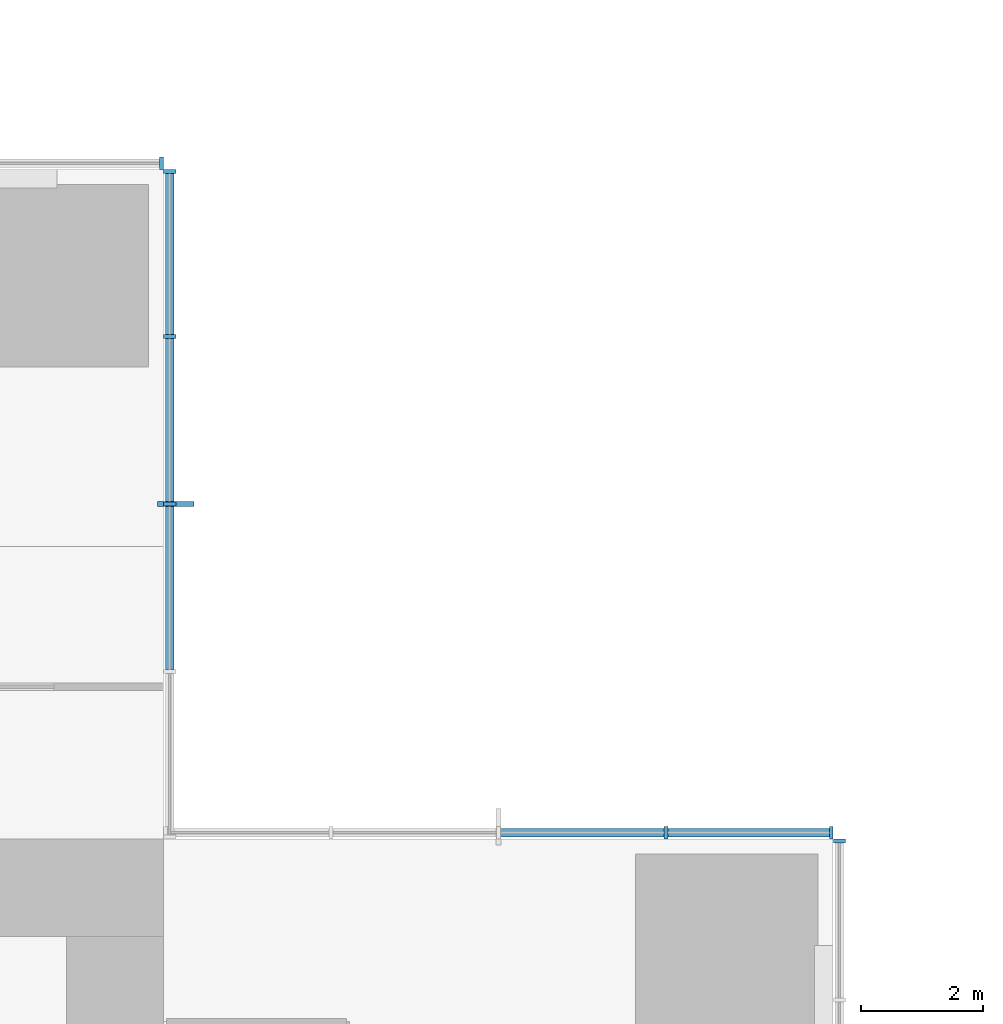
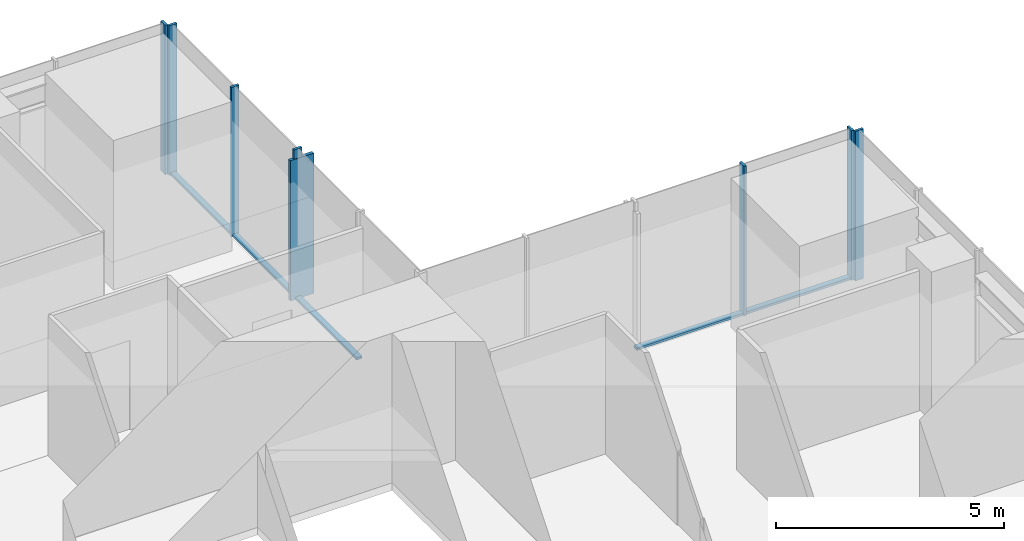
# One storey, part 6 of 13: 13 members, 4 elements without a shape of their own.
"""IFC4 building model written with IfcOpenShell, lengths in metres."""

from ifc_helpers import new_model, si_unit, direction, frame, origin, origin_2d, place, context, subcontext, project, spatial, rectangle, extrude, material, material_profile, profile_set, type_object, element, aggregate, save


model = new_model("IFC4")

# Units and contexts
model_context = context("Model", 3, precision=1e-05, world=origin(), true_north=direction((0.0, 1.0)))
body_context = subcontext(model_context, "Body", "Model", "MODEL_VIEW")
ifc_project = project(units=[si_unit("LENGTHUNIT", "METRE"), si_unit("AREAUNIT", "SQUARE_METRE"), si_unit("VOLUMEUNIT", "CUBIC_METRE"), si_unit("PLANEANGLEUNIT", "RADIAN"), si_unit("MASSUNIT", "GRAM", prefix="KILO")], contexts=[model_context])

# Site, building, storey
site_placement = place(None, origin())
site = spatial("IfcSite", under=ifc_project, at=site_placement, CompositionType="ELEMENT")
building_placement = place(site_placement, origin())
building = spatial("IfcBuilding", under=site, at=building_placement, Name="Svetlomir Tower", CompositionType="ELEMENT")
storey_placement = place(building_placement, frame((0.0, 0.0, 136.5)))
storey = spatial("IfcBuildingStorey", under=building, at=storey_placement, Name="L32", CompositionType="ELEMENT", Elevation=136.5)

# Curtain wall, member
ifc_material_1 = material(Name="Bronze anodised aluminium curtain wall", Category="aluminium")
curtain_wall_type = type_object("IfcCurtainWallType", Name="CURTAIN WALL CW1 TOWER OFFICE", PredefinedType="NOTDEFINED", material=ifc_material_1)
curtain_wall_1_placement = place(storey_placement, origin())
curtain_wall_1 = element("IfcCurtainWall", 1, at=curtain_wall_1_placement, inside=storey, type_object=curtain_wall_type, Name="Curtain wall CW1 L32", PredefinedType="NOTDEFINED")
ifc_material_2 = material(Name="Bronze anodised aluminium", Category="aluminium")
ifc_material_profile_1 = material_profile(ifc_material_2, rectangle(XDim=0.080078125, YDim=0.60009765625, at=origin_2d()), Name="FIN 80x600")
ifc_profile_set_1 = profile_set([ifc_material_profile_1], Name="Bronze anodised aluminium 6063-T6")
member_type_1 = type_object("IfcMemberType", Name="BRONZE FIN 80x600", PredefinedType="USERDEFINED", material=ifc_profile_set_1)
member_1_placement = place(storey_placement, frame((31.199951171875, 36.5, 0.0), z_axis=(0.0, 0.0, 1.0), x_axis=(0.0, 1.0, 0.0)))
member_1 = element("IfcMember", 2, at=member_1_placement, type_object=member_type_1, Name="Bronze fin L32", ObjectType="FIN", PredefinedType="USERDEFINED", context=body_context, shape_type="SweptSolid", body=[
    extrude(rectangle(XDim=0.080078125, YDim=0.60009765625, at=origin_2d()), origin(), (0.0, 0.0, 1.0), 3.75),
])

curtain_wall_2_placement = place(storey_placement, origin())
curtain_wall_2 = element("IfcCurtainWall", 3, at=curtain_wall_2_placement, inside=storey, type_object=curtain_wall_type, Name="Curtain wall CW1 L32", PredefinedType="NOTDEFINED")
ifc_material_3 = material(Name="Bronze anodised aluminium", Category="aluminium")
ifc_material_profile_2 = material_profile(ifc_material_3, rectangle(XDim=0.06494140625, YDim=0.199951171875, at=origin_2d()), Name="AL 65x200")
ifc_profile_set_2 = profile_set([ifc_material_profile_2], Name="Bronze anodised aluminium 6063-T6")
member_type_2 = type_object("IfcMemberType", Name="CW1 MULLION 65x200", PredefinedType="MULLION", material=ifc_profile_set_2)
member_2_placement = place(storey_placement, frame((42.10009765625, 30.967529296875, 0.0), z_axis=(0.0, 0.0, 1.0), x_axis=(0.0, 1.0, 0.0)))
member_2 = element("IfcMember", 4, at=member_2_placement, type_object=member_type_2, Name="CW1 mullion 5", PredefinedType="MULLION", context=body_context, shape_type="SweptSolid", body=[
    extrude(rectangle(XDim=0.06494140625, YDim=0.199951171875, at=origin_2d()), origin(), (0.0, 0.0, 1.0), 4.0),
])
aggregate(curtain_wall_2, [member_2])

# Curtain wall, members
curtain_wall_3_placement = place(storey_placement, origin())
curtain_wall_3 = element("IfcCurtainWall", 5, at=curtain_wall_3_placement, inside=storey, type_object=curtain_wall_type, Name="Curtain wall CW1 L32", PredefinedType="NOTDEFINED")
member_3_placement = place(storey_placement, frame((41.967529296875, 31.10009765625, 0.0), z_axis=(0.0, 0.0, 1.0), x_axis=(-1.0, 0.0, 0.0)))
member_3 = element("IfcMember", 6, at=member_3_placement, type_object=member_type_2, Name="CW1 mullion 1", PredefinedType="MULLION", context=body_context, shape_type="SweptSolid", body=[
    extrude(rectangle(XDim=0.06494140625, YDim=0.199951171875, at=origin_2d()), origin(), (0.0, 0.0, 1.0), 4.0),
])
member_4_placement = place(storey_placement, frame((39.25, 31.10009765625, 0.0), z_axis=(0.0, 0.0, 1.0), x_axis=(-1.0, 0.0, 0.0)))
member_4 = element("IfcMember", 7, at=member_4_placement, type_object=member_type_2, Name="CW1 mullion 2", PredefinedType="MULLION", context=body_context, shape_type="SweptSolid", body=[
    extrude(rectangle(XDim=0.06494140625, YDim=0.199951171875, at=origin_2d()), origin(), (0.0, 0.0, 1.0), 4.0),
])

# Member
member_5_placement = place(storey_placement, frame((31.10009765625, 36.5, 0.0), z_axis=(0.0, 0.0, 1.0), x_axis=(0.0, 1.0, 0.0)))
member_5 = element("IfcMember", 8, at=member_5_placement, type_object=member_type_2, Name="CW1 mullion 3", PredefinedType="MULLION", context=body_context, shape_type="SweptSolid", body=[
    extrude(rectangle(XDim=0.06494140625, YDim=0.199951171875, at=origin_2d()), origin(), (0.0, 0.0, 1.0), 4.0),
])

member_6_placement = place(storey_placement, frame((31.10009765625, 39.25, 0.0), z_axis=(0.0, 0.0, 1.0), x_axis=(0.0, 1.0, 0.0)))
member_6 = element("IfcMember", 9, at=member_6_placement, type_object=member_type_2, Name="CW1 mullion 4", PredefinedType="MULLION", context=body_context, shape_type="SweptSolid", body=[
    extrude(rectangle(XDim=0.06494140625, YDim=0.199951171875, at=origin_2d()), origin(), (0.0, 0.0, 1.0), 4.0),
])

member_7_placement = place(storey_placement, frame((31.10009765625, 41.967529296875, 0.0), z_axis=(0.0, 0.0, 1.0), x_axis=(0.0, 1.0, 0.0)))
member_7 = element("IfcMember", 10, at=member_7_placement, type_object=member_type_2, Name="CW1 mullion 5", PredefinedType="MULLION", context=body_context, shape_type="SweptSolid", body=[
    extrude(rectangle(XDim=0.06494140625, YDim=0.199951171875, at=origin_2d()), origin(), (0.0, 0.0, 1.0), 4.0),
])

# Curtain wall, member
curtain_wall_4_placement = place(storey_placement, origin())
curtain_wall_4 = element("IfcCurtainWall", 11, at=curtain_wall_4_placement, inside=storey, type_object=curtain_wall_type, Name="Curtain wall CW1 L32", PredefinedType="NOTDEFINED")
member_8_placement = place(storey_placement, frame((30.967529296875, 42.10009765625, 0.0), z_axis=(0.0, 0.0, 1.0), x_axis=(-1.0, 0.0, 0.0)))
member_8 = element("IfcMember", 12, at=member_8_placement, type_object=member_type_2, Name="CW1 mullion 1", PredefinedType="MULLION", context=body_context, shape_type="SweptSolid", body=[
    extrude(rectangle(XDim=0.06494140625, YDim=0.199951171875, at=origin_2d()), origin(), (0.0, 0.0, 1.0), 4.0),
])
aggregate(curtain_wall_4, [member_8])

# Member
ifc_material_4 = material(Name="Bronze anodised aluminium", Category="aluminium")
ifc_material_profile_3 = material_profile(ifc_material_4, rectangle(XDim=0.139892578125, YDim=0.06494140625, at=origin_2d()), Name="AL 140x65")
ifc_profile_set_3 = profile_set([ifc_material_profile_3], Name="Bronze anodised aluminium 6063-T6")
member_type_3 = type_object("IfcMemberType", Name="CW1 TRANSOM 65x140", PredefinedType="USERDEFINED", material=ifc_profile_set_3)
member_9_placement = place(storey_placement, frame((41.93505859375, 31.10009765625, 0.032470703125), z_axis=(-1.0, 0.0, 0.0), x_axis=(0.0, -1.0, 0.0)))
member_9 = element("IfcMember", 13, at=member_9_placement, type_object=member_type_3, Name="CW1 transom 1.1", ObjectType="TRANSOM", PredefinedType="USERDEFINED", context=body_context, shape_type="SweptSolid", body=[
    extrude(rectangle(XDim=0.139892578125, YDim=0.06494140625, at=origin_2d()), origin(), (0.0, 0.0, 1.0), 2.652587890625),
])

member_10_placement = place(storey_placement, frame((39.217529296875, 31.10009765625, 0.032470703125), z_axis=(-1.0, 0.0, 0.0), x_axis=(0.0, -1.0, 0.0)))
member_10 = element("IfcMember", 14, at=member_10_placement, type_object=member_type_3, Name="CW1 transom 2.1", ObjectType="TRANSOM", PredefinedType="USERDEFINED", context=body_context, shape_type="SweptSolid", body=[
    extrude(rectangle(XDim=0.139892578125, YDim=0.06494140625, at=origin_2d()), origin(), (0.0, 0.0, 1.0), 2.68505859375),
])

aggregate(curtain_wall_3, [member_3, member_4, member_9, member_10])

member_11_placement = place(storey_placement, frame((31.10009765625, 33.782470703125, 0.032470703125), z_axis=(0.0, 1.0, 0.0), x_axis=(-1.0, 0.0, 0.0)))
member_11 = element("IfcMember", 15, at=member_11_placement, type_object=member_type_3, Name="CW1 transom 2.1", ObjectType="TRANSOM", PredefinedType="USERDEFINED", context=body_context, shape_type="SweptSolid", body=[
    extrude(rectangle(XDim=0.139892578125, YDim=0.06494140625, at=origin_2d()), origin(), (0.0, 0.0, 1.0), 2.68505859375),
])

member_12_placement = place(storey_placement, frame((31.10009765625, 36.532470703125, 0.032470703125), z_axis=(0.0, 1.0, 0.0), x_axis=(-1.0, 0.0, 0.0)))
member_12 = element("IfcMember", 16, at=member_12_placement, type_object=member_type_3, Name="CW1 transom 3.1", ObjectType="TRANSOM", PredefinedType="USERDEFINED", context=body_context, shape_type="SweptSolid", body=[
    extrude(rectangle(XDim=0.139892578125, YDim=0.06494140625, at=origin_2d()), origin(), (0.0, 0.0, 1.0), 2.68505859375),
])

member_13_placement = place(storey_placement, frame((31.10009765625, 39.282470703125, 0.032470703125), z_axis=(0.0, 1.0, 0.0), x_axis=(-1.0, 0.0, 0.0)))
member_13 = element("IfcMember", 17, at=member_13_placement, type_object=member_type_3, Name="CW1 transom 4.1", ObjectType="TRANSOM", PredefinedType="USERDEFINED", context=body_context, shape_type="SweptSolid", body=[
    extrude(rectangle(XDim=0.139892578125, YDim=0.06494140625, at=origin_2d()), origin(), (0.0, 0.0, 1.0), 2.652587890625),
])

aggregate(curtain_wall_1, [member_5, member_6, member_7, member_11, member_12, member_13, member_1])

save(model, "model.ifc")
